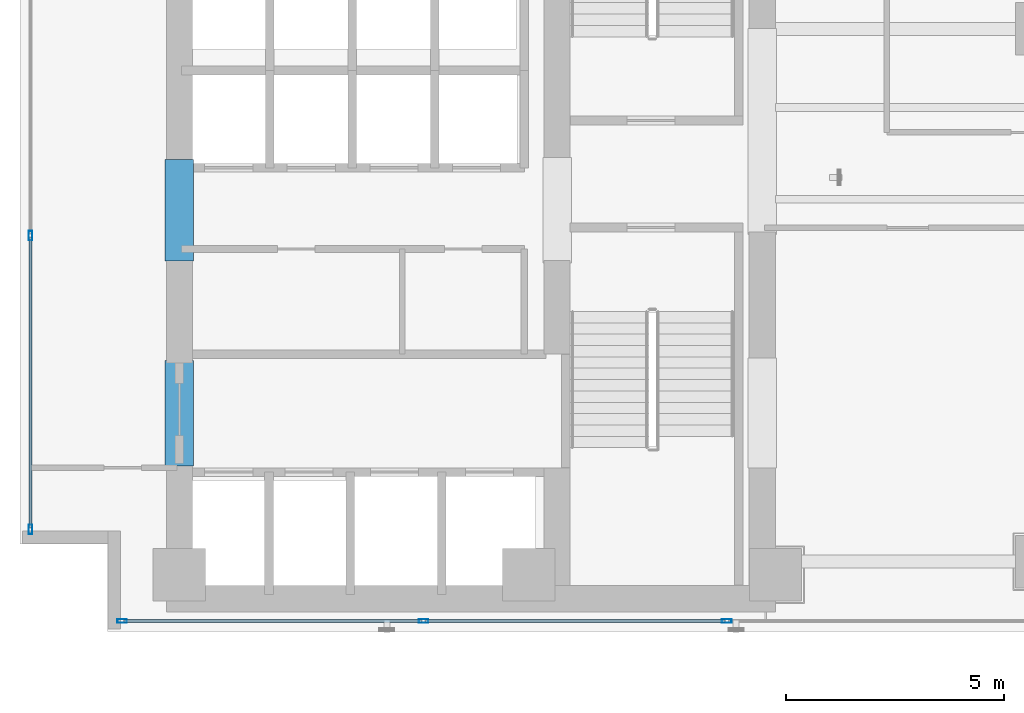
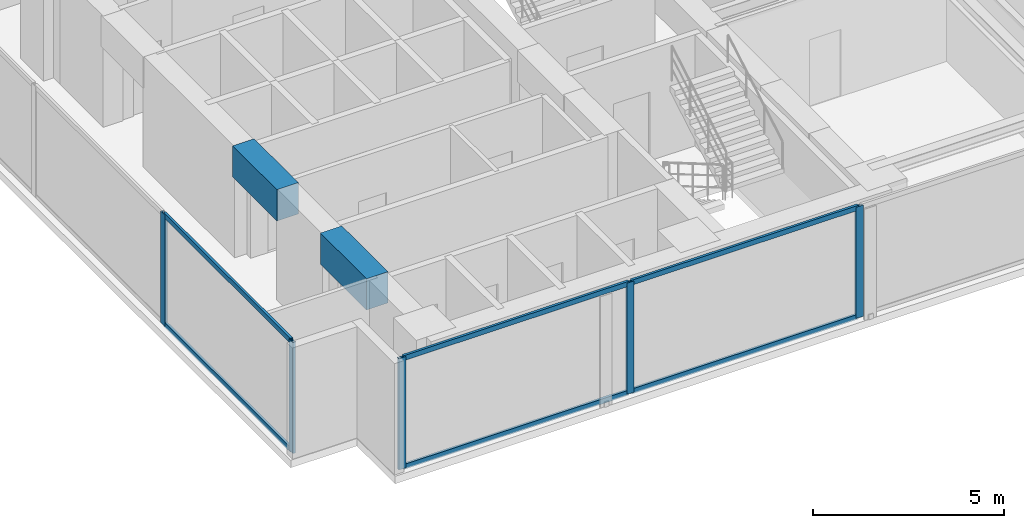
# One storey, part 2 of 27: 11 members, 2 beams, 2 elements without a shape of their own.
"""IFC4 building model written with IfcOpenShell, lengths in metres."""

from ifc_helpers import new_model, si_unit, direction, frame, origin, origin_with_axes, origin_2d, place, context, subcontext, project, spatial, rectangle, hollow_rectangle, extrude, source, transform, mapped, material, layer, layer_set, material_profile, profile_set, type_object, element, aggregate, save


model = new_model("IFC4")

# Units and contexts
model_context = context("Model", 3, precision=1e-05, world=origin(), true_north=direction((0.0, 1.0)))
body_context = subcontext(model_context, "Body", "Model", "MODEL_VIEW")
ifc_project = project(units=[si_unit("LENGTHUNIT", "METRE"), si_unit("AREAUNIT", "SQUARE_METRE"), si_unit("VOLUMEUNIT", "CUBIC_METRE"), si_unit("PLANEANGLEUNIT", "RADIAN"), si_unit("MASSUNIT", "GRAM", prefix="KILO")], contexts=[model_context])

# Site, building, storey
site_placement = place(None, origin())
site = spatial("IfcSite", under=ifc_project, at=site_placement, CompositionType="ELEMENT")
building_placement = place(site_placement, origin())
building = spatial("IfcBuilding", under=site, at=building_placement, Name="Kolvaren Waterfront Exchange", CompositionType="ELEMENT")
storey_placement = place(building_placement, frame((0.0, 0.0, 176.60009765625)))
storey = spatial("IfcBuildingStorey", under=building, at=storey_placement, Name="L45", CompositionType="ELEMENT", Elevation=176.60009765625)

# Beams
ifc_material_1 = material(Name="Concrete C60/75", Category="concrete")
ifc_material_profile_1 = material_profile(ifc_material_1, rectangle(XDim=0.64990234375, YDim=1.0, at=origin_2d()), Name="RC-CB-1000x650")
ifc_profile_set_1 = profile_set([ifc_material_profile_1], Name="Concrete C60/75")
beam_type = type_object("IfcBeamType", Name="STR-CB-1000", PredefinedType="SPANDREL", material=ifc_profile_set_1)
beam_1_placement = place(storey_placement, frame((7.449951171875, 7.389892578125, 3.059814453125), z_axis=(0.0, 1.0, 0.0), x_axis=(-1.0, 0.0, 0.0)))
element("IfcBeam", 1, at=beam_1_placement, inside=storey, type_object=beam_type, Name="L45 core coupling beam 3", PredefinedType="SPANDREL", context=body_context, shape_type="SweptSolid", body=[
    extrude(rectangle(XDim=0.64990234375, YDim=1.0, at=origin_2d()), origin(), (0.0, 0.0, 1.0), 2.420166015625),
])
beam_2_placement = place(storey_placement, frame((7.449951171875, 12.090087890625, 3.059814453125), z_axis=(0.0, 1.0, 0.0), x_axis=(-1.0, 0.0, 0.0)))
element("IfcBeam", 2, at=beam_2_placement, inside=storey, type_object=beam_type, Name="L45 core coupling beam 4", PredefinedType="SPANDREL", context=body_context, shape_type="SweptSolid", body=[
    extrude(rectangle(XDim=0.64990234375, YDim=1.0, at=origin_2d()), origin(), (0.0, 0.0, 1.0), 2.31982421875),
])

# Curtain wall, members
ifc_material_2 = material(Name="Anodised bronze aluminium 6063-T6", Category="aluminium")
ifc_layer_1 = layer(ifc_material_2, 0.219970703125, Name="Anodised bronze aluminium 6063-T6")
ifc_layer_set_1 = layer_set([ifc_layer_1], Name="Anodised bronze aluminium 6063-T6")
curtain_wall_type_1 = type_object("IfcCurtainWallType", Name="ARC-CW-SYS1", PredefinedType="USERDEFINED", material=ifc_layer_set_1)
curtain_wall_1_placement = place(storey_placement, origin())
curtain_wall_1 = element("IfcCurtainWall", 3, at=curtain_wall_1_placement, inside=storey, type_object=curtain_wall_type_1, Name="L45 stick curtain wall CW1 (CW-L45-S)", ObjectType="STICK CURTAIN WALL", PredefinedType="USERDEFINED")
ifc_material_3 = material(Name="Anodised aluminium 6063-T6", Category="aluminium")
ifc_material_profile_2 = material_profile(ifc_material_3, hollow_rectangle(XDim=0.074951171875, YDim=0.159912109375, WallThickness=0.00439453125, at=origin_2d()), Name="ALU-TRN-160x75x4.5")
ifc_profile_set_2 = profile_set([ifc_material_profile_2], Name="Anodised aluminium 6063-T6")
member_type_1 = type_object("IfcMemberType", Name="ARC-CWT-160", PredefinedType="USERDEFINED", material=ifc_profile_set_2)
shared_shape_1 = source(origin_with_axes(), body_context, "Body", "SweptSolid", [
    extrude(hollow_rectangle(XDim=0.074951171875, YDim=0.159912109375, WallThickness=0.00439453125, at=origin_2d()), origin(), (0.0, 0.0, 1.0), 6.822998046875),
])
member_1_placement = place(storey_placement, frame((6.179931640625, 3.840087890625, 0.037353515625), z_axis=(1.0, 0.0, 0.0), x_axis=(0.0, 1.0, 0.0)))
member_1 = element("IfcMember", 4, at=member_1_placement, type_object=member_type_1, Name="CW1 transom 1.1", ObjectType="TRANSOM", PredefinedType="USERDEFINED", context=body_context, shape_type="MappedRepresentation", body=[
    mapped(shared_shape_1, transform((0.0, 0.0, 0.0), x_axis=(1.0, 0.0, 0.0), y_axis=(0.0, 1.0, 0.0), z_axis=(0.0, 0.0, 1.0), scale=1.0)),
])
member_2_placement = place(storey_placement, frame((6.179931640625, 3.840087890625, 3.5224609375), z_axis=(1.0, 0.0, 0.0), x_axis=(0.0, 1.0, 0.0)))
member_2 = element("IfcMember", 5, at=member_2_placement, type_object=member_type_1, Name="CW1 transom 1.2", ObjectType="TRANSOM", PredefinedType="USERDEFINED", context=body_context, shape_type="MappedRepresentation", body=[
    mapped(shared_shape_1, transform((0.0, 0.0, 0.0), x_axis=(1.0, 0.0, 0.0), y_axis=(0.0, 1.0, 0.0), z_axis=(0.0, 0.0, 1.0), scale=1.0)),
])
shared_shape_2 = source(origin_with_axes(), body_context, "Body", "SweptSolid", [
    extrude(hollow_rectangle(XDim=0.074951171875, YDim=0.159912109375, WallThickness=0.00439453125, at=origin_2d()), origin(), (0.0, 0.0, 1.0), 6.863037109375),
])
member_3_placement = place(storey_placement, frame((13.082763671875, 3.840087890625, 0.037353515625), z_axis=(1.0, 0.0, 0.0), x_axis=(0.0, 1.0, 0.0)))
member_3 = element("IfcMember", 6, at=member_3_placement, type_object=member_type_1, Name="CW1 transom 2.1", ObjectType="TRANSOM", PredefinedType="USERDEFINED", context=body_context, shape_type="MappedRepresentation", body=[
    mapped(shared_shape_2, transform((0.0, 0.0, 0.0), x_axis=(1.0, 0.0, 0.0), y_axis=(0.0, 1.0, 0.0), z_axis=(0.0, 0.0, 1.0), scale=1.0)),
])
member_4_placement = place(storey_placement, frame((13.082763671875, 3.840087890625, 3.5224609375), z_axis=(1.0, 0.0, 0.0), x_axis=(0.0, 1.0, 0.0)))
member_4 = element("IfcMember", 7, at=member_4_placement, type_object=member_type_1, Name="CW1 transom 2.2", ObjectType="TRANSOM", PredefinedType="USERDEFINED", context=body_context, shape_type="MappedRepresentation", body=[
    mapped(shared_shape_2, transform((0.0, 0.0, 0.0), x_axis=(1.0, 0.0, 0.0), y_axis=(0.0, 1.0, 0.0), z_axis=(0.0, 0.0, 1.0), scale=1.0)),
])

ifc_layer_2 = layer(ifc_material_3, 0.219970703125, Name="Anodised aluminium 6063-T6")
ifc_layer_set_2 = layer_set([ifc_layer_2], Name="Anodised aluminium 6063-T6")
curtain_wall_type_2 = type_object("IfcCurtainWallType", Name="ARC-CW-SYS2", PredefinedType="USERDEFINED", material=ifc_layer_set_2)
curtain_wall_2_placement = place(storey_placement, origin())
curtain_wall_2 = element("IfcCurtainWall", 8, at=curtain_wall_2_placement, inside=storey, type_object=curtain_wall_type_2, Name="L45 stick curtain wall CW2 (CW-L45-W)", ObjectType="STICK CURTAIN WALL", PredefinedType="USERDEFINED")
shared_shape_3 = source(origin_with_axes(), body_context, "Body", "SweptSolid", [
    extrude(hollow_rectangle(XDim=0.074951171875, YDim=0.159912109375, WallThickness=0.00439453125, at=origin_2d()), origin(), (0.0, 0.0, 1.0), 6.646728515625),
])
member_5_placement = place(storey_placement, frame((4.0400390625, 5.97998046875, 0.037353515625), z_axis=(0.0, 1.0, 0.0), x_axis=(-1.0, 0.0, 0.0)))
member_5 = element("IfcMember", 9, at=member_5_placement, type_object=member_type_1, Name="CW2 transom 1.1", ObjectType="TRANSOM", PredefinedType="USERDEFINED", context=body_context, shape_type="MappedRepresentation", body=[
    mapped(shared_shape_3, transform((0.0, 0.0, 0.0), x_axis=(1.0, 0.0, 0.0), y_axis=(0.0, 1.0, 0.0), z_axis=(0.0, 0.0, 1.0), scale=1.0)),
])
member_6_placement = place(storey_placement, frame((4.0400390625, 5.97998046875, 3.5224609375), z_axis=(0.0, 1.0, 0.0), x_axis=(-1.0, 0.0, 0.0)))
member_6 = element("IfcMember", 10, at=member_6_placement, type_object=member_type_1, Name="CW2 transom 1.2", ObjectType="TRANSOM", PredefinedType="USERDEFINED", context=body_context, shape_type="MappedRepresentation", body=[
    mapped(shared_shape_3, transform((0.0, 0.0, 0.0), x_axis=(1.0, 0.0, 0.0), y_axis=(0.0, 1.0, 0.0), z_axis=(0.0, 0.0, 1.0), scale=1.0)),
])

# Member
ifc_material_profile_3 = material_profile(ifc_material_3, hollow_rectangle(XDim=0.080078125, YDim=0.219970703125, WallThickness=0.0048828125, at=origin_2d()), Name="ALU-MUL-220x80x5")
ifc_profile_set_3 = profile_set([ifc_material_profile_3], Name="Anodised aluminium 6063-T6")
member_type_2 = type_object("IfcMemberType", Name="ARC-CWM-220", PredefinedType="MULLION", material=ifc_profile_set_3)
shared_shape_4 = source(origin_with_axes(), body_context, "Body", "SweptSolid", [
    extrude(hollow_rectangle(XDim=0.080078125, YDim=0.219970703125, WallThickness=0.0048828125, at=origin_2d()), origin(), (0.0, 0.0, 1.0), 3.559814453125),
])
member_7_placement = place(storey_placement, frame((6.139892578125, 3.840087890625, 0.0), z_axis=(0.0, 0.0, 1.0), x_axis=(0.0, 1.0, 0.0)))
member_7 = element("IfcMember", 11, at=member_7_placement, type_object=member_type_2, Name="CW1 mullion 1", PredefinedType="MULLION", context=body_context, shape_type="MappedRepresentation", body=[
    mapped(shared_shape_4, transform((0.0, 0.0, 0.0), x_axis=(1.0, 0.0, 0.0), y_axis=(0.0, 1.0, 0.0), z_axis=(0.0, 0.0, 1.0), scale=1.0)),
])

member_8_placement = place(storey_placement, frame((13.04296875, 3.840087890625, 0.0), z_axis=(0.0, 0.0, 1.0), x_axis=(0.0, 1.0, 0.0)))
member_8 = element("IfcMember", 12, at=member_8_placement, type_object=member_type_2, Name="CW1 mullion 2", PredefinedType="MULLION", context=body_context, shape_type="MappedRepresentation", body=[
    mapped(shared_shape_4, transform((0.0, 0.0, 0.0), x_axis=(1.0, 0.0, 0.0), y_axis=(0.0, 1.0, 0.0), z_axis=(0.0, 0.0, 1.0), scale=1.0)),
])

member_9_placement = place(storey_placement, frame((19.985595703125, 3.840087890625, 0.0), z_axis=(0.0, 0.0, 1.0), x_axis=(0.0, 1.0, 0.0)))
member_9 = element("IfcMember", 13, at=member_9_placement, type_object=member_type_2, Name="CW1 mullion 3", PredefinedType="MULLION", context=body_context, shape_type="MappedRepresentation", body=[
    mapped(shared_shape_4, transform((0.0, 0.0, 0.0), x_axis=(1.0, 0.0, 0.0), y_axis=(0.0, 1.0, 0.0), z_axis=(0.0, 0.0, 1.0), scale=1.0)),
])

aggregate(curtain_wall_1, [member_7, member_8, member_9, member_1, member_2, member_3, member_4])

member_10_placement = place(storey_placement, frame((4.0400390625, 5.93994140625, 0.0), z_axis=(0.0, 0.0, 1.0), x_axis=(-1.0, 0.0, 0.0)))
member_10 = element("IfcMember", 14, at=member_10_placement, type_object=member_type_2, Name="CW2 mullion 1", PredefinedType="MULLION", context=body_context, shape_type="MappedRepresentation", body=[
    mapped(shared_shape_4, transform((0.0, 0.0, 0.0), x_axis=(1.0, 0.0, 0.0), y_axis=(0.0, 1.0, 0.0), z_axis=(0.0, 0.0, 1.0), scale=1.0)),
])

member_11_placement = place(storey_placement, frame((4.0400390625, 12.666748046875, 0.0), z_axis=(0.0, 0.0, 1.0), x_axis=(-1.0, 0.0, 0.0)))
member_11 = element("IfcMember", 15, at=member_11_placement, type_object=member_type_2, Name="CW2 mullion 2", PredefinedType="MULLION", context=body_context, shape_type="MappedRepresentation", body=[
    mapped(shared_shape_4, transform((0.0, 0.0, 0.0), x_axis=(1.0, 0.0, 0.0), y_axis=(0.0, 1.0, 0.0), z_axis=(0.0, 0.0, 1.0), scale=1.0)),
])

aggregate(curtain_wall_2, [member_10, member_11, member_5, member_6])

save(model, "model.ifc")
